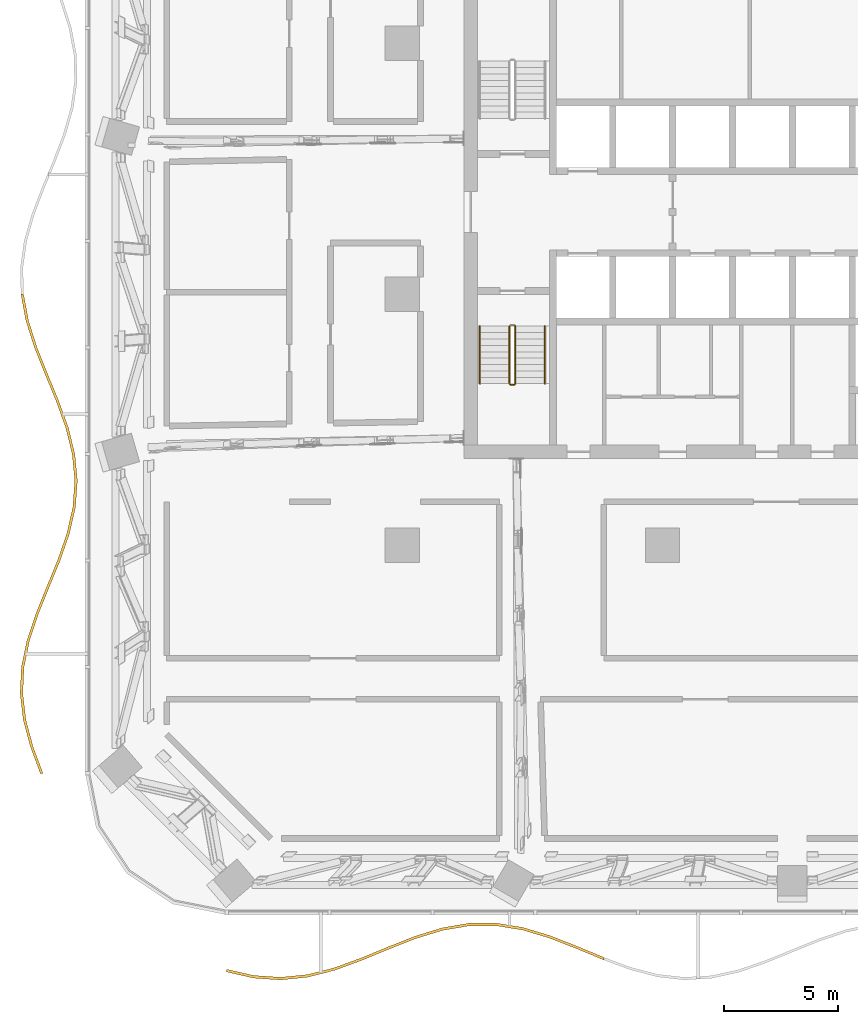
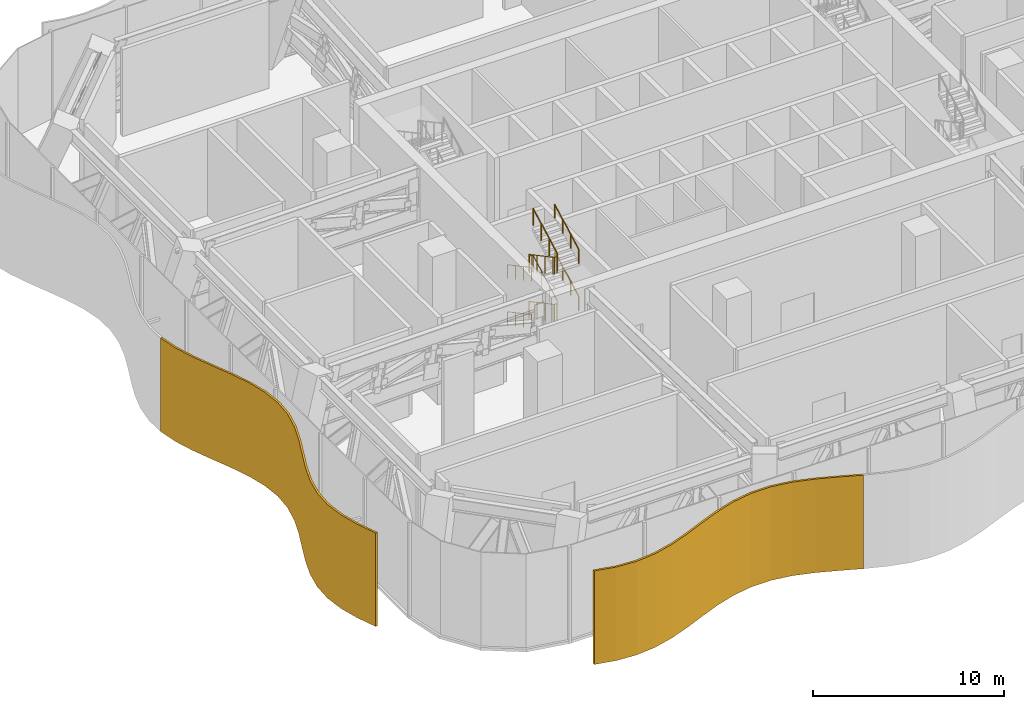
# One storey, part 26 of 32: 8 railings, 2 shading devices.
"""IFC4 building model written with IfcOpenShell, lengths in metres."""

import ifcopenshell
import ifcopenshell.guid

model = None  # the IFC model being written
_history = None  # IfcOwnerHistory: only IFC2X3 demands one
_inside = {}  # id of a spatial element -> (the spatial element, [elements in it])
_under = {}  # id of a project, library or spatial element -> (it, [spatial elements below it])
_declared = {}  # id of a project -> (the project, [libraries it declares])
_typed = {}  # id of a type object -> (the type object, [elements of that type])
_made_of = {}  # id of a material, layer set ... -> (it, [elements and type objects made of it])


def new_model(schema):
    """Start an empty IFC model of exactly this schema.

    Asked for "IFC4X3", IfcOpenShell would pick the latest addendum, in which some entities
    have other attributes; the version numbers below select the first issue.
    IFC2X3 requires an IfcOwnerHistory on every rooted entity: one is made here for all.
    """
    global model, _history
    if schema == "IFC4X3":
        model = ifcopenshell.file(schema_version=(4, 3, 0, 0))
    else:
        model = ifcopenshell.file(schema=schema)
    _inside.clear()
    _under.clear()
    _declared.clear()
    _typed.clear()
    _made_of.clear()
    _history = None
    if model.schema == "IFC2X3":
        org = make("IfcOrganization", Name="unknown")
        user = make(
            "IfcPersonAndOrganization",
            ThePerson=make("IfcPerson", FamilyName="unknown"),
            TheOrganization=org,
        )
        app = make(
            "IfcApplication",
            ApplicationDeveloper=org,
            Version="unknown",
            ApplicationFullName="unknown",
            ApplicationIdentifier="unknown",
        )
        _history = make(
            "IfcOwnerHistory",
            OwningUser=user,
            OwningApplication=app,
            ChangeAction="ADDED",
            CreationDate=0,
        )
    return model


def make(cls, **values):
    """One entity of the class cls with the attributes given. An attribute that is None is left unset."""
    return model.create_entity(
        cls, **{name: value for name, value in values.items() if value is not None}
    )


def rooted(cls, **values):
    """An entity with a GlobalId (a new one), such as an element, a storey or a relation."""
    return make(cls, GlobalId=ifcopenshell.guid.new(), OwnerHistory=_history, **values)


def si_unit(unit_type, name, prefix=None):
    """IfcSIUnit, for example si_unit("LENGTHUNIT", "METRE", prefix="MILLI")."""
    return make("IfcSIUnit", UnitType=unit_type, Prefix=prefix, Name=name)


def assignment(units):
    """IfcUnitAssignment: the units of a project."""
    return None if units is None else make("IfcUnitAssignment", Units=units)


def point(xyz):
    """IfcCartesianPoint."""
    return None if xyz is None else make("IfcCartesianPoint", Coordinates=xyz)


def direction(xyz):
    """IfcDirection."""
    return None if xyz is None else make("IfcDirection", DirectionRatios=xyz)


def frame(location, z_axis=None, x_axis=None):
    """IfcAxis2Placement3D, a coordinate frame: its origin and axes. An axis left out is left unset."""
    return make(
        "IfcAxis2Placement3D",
        Location=point(location),
        Axis=direction(z_axis),
        RefDirection=direction(x_axis),
    )


def frame_2d(location, x_axis=None):
    """IfcAxis2Placement2D, a coordinate frame in the plane: its origin and x axis."""
    return make(
        "IfcAxis2Placement2D", Location=point(location), RefDirection=direction(x_axis)
    )


def origin():
    """The frame at (0, 0, 0) with its axes left unset."""
    return frame((0.0, 0.0, 0.0))


def origin_2d():
    """The frame at (0, 0) in the plane with its x axis left unset."""
    return frame_2d((0.0, 0.0))


def place(relative_to, where):
    """IfcLocalPlacement: puts the frame where relative to a parent placement (None: the world)."""
    return make(
        "IfcLocalPlacement", PlacementRelTo=relative_to, RelativePlacement=where
    )


def context(
    kind, dimensions, precision=None, world=None, true_north=None, identifier=None
):
    """IfcGeometricRepresentationContext, for example the 3D "Model" context."""
    return make(
        "IfcGeometricRepresentationContext",
        ContextIdentifier=identifier,
        ContextType=kind,
        CoordinateSpaceDimension=dimensions,
        Precision=precision,
        WorldCoordinateSystem=world,
        TrueNorth=true_north,
    )


def subcontext(parent, identifier, kind, view, scale=None):
    """IfcGeometricRepresentationSubContext, for example "Body" below "Model"."""
    return make(
        "IfcGeometricRepresentationSubContext",
        ContextIdentifier=identifier,
        ContextType=kind,
        ParentContext=parent,
        TargetScale=scale,
        TargetView=view,
    )


def project(units=None, contexts=None):
    """IfcProject with its units and contexts."""
    return rooted(
        "IfcProject",
        Name="project",
        RepresentationContexts=contexts,
        UnitsInContext=assignment(units),
    )


def spatial(cls, under=None, at=None, **own):
    """A site, building, storey or space (cls), placed at a placement, below another one or the project."""
    s = rooted(cls, ObjectPlacement=at, **own)
    if under is not None:
        _under.setdefault(under.id(), (under, []))[1].append(s)
    return s


def polyline(points):
    """IfcPolyline through the points."""
    return make("IfcPolyline", Points=[point(p) for p in points])


def profile(cls, at=None, kind="AREA", **sizes):
    """A parametric profile (cls). Its sizes go by their IFC names, for example OverallWidth=200.0."""
    return make(cls, ProfileType=kind, Position=at, **sizes)


def circle(**sizes):
    """IfcCircleProfileDef."""
    return profile("IfcCircleProfileDef", **sizes)


def outline(outer, holes=None, kind="AREA"):
    """IfcArbitraryClosedProfileDef: a profile drawn as a closed curve; with holes, ...WithVoids."""
    if holes is None:
        return make("IfcArbitraryClosedProfileDef", ProfileType=kind, OuterCurve=outer)
    return make(
        "IfcArbitraryProfileDefWithVoids",
        ProfileType=kind,
        OuterCurve=outer,
        InnerCurves=holes,
    )


def extrude(swept, where, along, depth):
    """IfcExtrudedAreaSolid: the profile swept, set in the frame where, extruded along a direction by depth."""
    return make(
        "IfcExtrudedAreaSolid",
        SweptArea=swept,
        Position=where,
        ExtrudedDirection=direction(along),
        Depth=depth,
    )


def shape(context_of_items, identifier, shape_type, items):
    """IfcShapeRepresentation: the items that make up one representation, for example the "Body"."""
    return make(
        "IfcShapeRepresentation",
        ContextOfItems=context_of_items,
        RepresentationIdentifier=identifier,
        RepresentationType=shape_type,
        Items=items,
    )


def material(Name=None, Category=None):
    """IfcMaterial."""
    return make("IfcMaterial", Name=Name, Category=Category)


def layer(
    of_material, thickness, ventilated=None, Name=None, Category=None, Priority=None
):
    """IfcMaterialLayer: one layer of a wall or slab, of a material (None: an air gap)."""
    return make(
        "IfcMaterialLayer",
        Material=of_material,
        LayerThickness=thickness,
        IsVentilated=ventilated,
        Name=Name,
        Category=Category,
        Priority=Priority,
    )


def layer_set(layers, Name=None):
    """IfcMaterialLayerSet."""
    return make("IfcMaterialLayerSet", MaterialLayers=layers, LayerSetName=Name)


def made_of(thing, what):
    """Note that an element or type object is made of a material, layer set ...; save() writes the relation."""
    if what is not None:
        _made_of.setdefault(what.id(), (what, []))[1].append(thing)
    return thing


def type_object(cls, material=None, **own):
    """A type object (cls), such as IfcWallType, which elements share."""
    return made_of(rooted(cls, **own), material)


def element(
    cls,
    number,
    at=None,
    inside=None,
    cuts=None,
    type_object=None,
    material=None,
    context=None,
    identifier="Body",
    shape_type=None,
    held_by="IfcProductDefinitionShape",
    body=None,
    shapes=None,
    **own,
):
    """One element of the class cls, such as IfcWall. Its Tag is "e" and its number.

    at: its placement. inside: the storey or other place that contains it. cuts: it is an
    opening in that element (IfcRelVoidsElement). A single representation is given by context,
    identifier, shape_type and body (its items); several are given by shapes. held_by: the class
    of the entity that holds the representations. save() writes the other relations.
    """
    e = rooted(cls, Tag="e%d" % number, ObjectPlacement=at, **own)
    if body is not None:
        shapes = [shape(context, identifier, shape_type, body)]
    if shapes is not None:
        e.Representation = make(held_by, Representations=shapes)
    if inside is not None:
        _inside.setdefault(inside.id(), (inside, []))[1].append(e)
    if cuts is not None:
        rooted(
            "IfcRelVoidsElement", RelatingBuildingElement=cuts, RelatedOpeningElement=e
        )
    if type_object is not None:
        _typed.setdefault(type_object.id(), (type_object, []))[1].append(e)
    return made_of(e, material)


def aggregate(whole, parts):
    """IfcRelAggregates: a whole, such as a stair, and the parts it consists of."""
    return rooted("IfcRelAggregates", RelatingObject=whole, RelatedObjects=parts)


def save(model, path):
    """Write the relations noted so far, then the file.

    IfcRelAggregates (storeys below a building ...), IfcRelContainedInSpatialStructure (elements
    in a storey), IfcRelDefinesByType, IfcRelAssociatesMaterial and IfcRelDeclares: one each for
    every whole, place, type object, material and project.
    """
    for whole, parts in _under.values():
        aggregate(whole, parts)
    for where, things in _inside.values():
        rooted(
            "IfcRelContainedInSpatialStructure",
            RelatedElements=things,
            RelatingStructure=where,
        )
    for kind, things in _typed.values():
        rooted("IfcRelDefinesByType", RelatedObjects=things, RelatingType=kind)
    for what, things in _made_of.values():
        rooted("IfcRelAssociatesMaterial", RelatedObjects=things, RelatingMaterial=what)
    for by, libraries in _declared.values():
        rooted("IfcRelDeclares", RelatingContext=by, RelatedDefinitions=libraries)
    model.write(path)


model = new_model("IFC4")

# Units and contexts
model_context = context("Model", 3, precision=1e-05, world=origin(), true_north=direction((0.0, 1.0)))
body_context = subcontext(model_context, "Body", "Model", "MODEL_VIEW")
ifc_project = project(units=[si_unit("LENGTHUNIT", "METRE"), si_unit("AREAUNIT", "SQUARE_METRE"), si_unit("VOLUMEUNIT", "CUBIC_METRE"), si_unit("PLANEANGLEUNIT", "RADIAN"), si_unit("MASSUNIT", "GRAM", prefix="KILO")], contexts=[model_context])

# Site, building, storey
site_placement = place(None, origin())
site = spatial("IfcSite", under=ifc_project, at=site_placement, CompositionType="ELEMENT")
building_placement = place(site_placement, origin())
building = spatial("IfcBuilding", under=site, at=building_placement, Name="Mopane Tessera Tower", CompositionType="ELEMENT")
storey_placement = place(building_placement, frame((0.0, 0.0, 88.60009765625)))
storey = spatial("IfcBuildingStorey", under=building, at=storey_placement, Name="L17", CompositionType="ELEMENT", Elevation=88.60009765625)

# Railings
ifc_material_1 = material(Name="Powder-coated steel balustrade", Category="steel")
railing_type_1 = type_object("IfcRailingType", Name="Escape stair guard 1100 mm", PredefinedType="GUARDRAIL", material=ifc_material_1)
railing_1_placement = place(storey_placement, frame((-12.39990234375, -1.39990234375, 0.14990234375)))
element("IfcRailing", 1, at=railing_1_placement, inside=storey, type_object=railing_type_1, Name="L17 ST1 stair guard 1", PredefinedType="GUARDRAIL", context=body_context, shape_type="SweptSolid", body=[
    extrude(circle(Radius=0.02392578125, at=origin_2d()), frame((0.0, 0.0, 1.076171875), z_axis=(0.0, -0.881467274426, 0.472245110209), x_axis=(1.0, 0.0, 0.0)), (0.0, 0.0, 1.0), 2.85888671875),
    extrude(circle(Radius=0.02392578125, at=origin_2d()), frame((0.0, -2.52001953125, 2.42626953125), z_axis=(0.705375805398, -0.708833529934, 0.0), x_axis=(0.708833529934, 0.705375805398, 0.0)), (0.0, 0.0, 1.0), 0.070556640625),
    extrude(circle(Radius=0.02392578125, at=origin_2d()), frame((0.0498046875, -2.570068359375, 2.42626953125), z_axis=(1.0, 0.0, 0.0), x_axis=(0.0, 1.0, 0.0)), (0.0, 0.0, 1.0), 0.150146484375),
    extrude(circle(Radius=0.02099609375, at=origin_2d()), origin(), (0.0, 0.0, 1.0), 1.052001953125),
    extrude(circle(Radius=0.02099609375, at=origin_2d()), frame((0.0, -0.840087890625, 0.449951171875)), (0.0, 0.0, 1.0), 1.052001953125),
    extrude(circle(Radius=0.02099609375, at=origin_2d()), frame((0.0, -1.679931640625, 0.900146484375)), (0.0, 0.0, 1.0), 1.052001953125),
    extrude(circle(Radius=0.02099609375, at=origin_2d()), frame((0.0, -2.52001953125, 1.35009765625)), (0.0, 0.0, 1.0), 1.052001953125),
    extrude(circle(Radius=0.02099609375, at=origin_2d()), frame((0.0498046875, -2.570068359375, 1.35009765625)), (0.0, 0.0, 1.0), 1.052001953125),
    extrude(circle(Radius=0.02099609375, at=origin_2d()), frame((0.199951171875, -2.570068359375, 1.35009765625)), (0.0, 0.0, 1.0), 1.052001953125),
])
railing_2_placement = place(storey_placement, frame((-12.14990234375, -3.919921875, 1.64990234375)))
element("IfcRailing", 2, at=railing_2_placement, inside=storey, type_object=railing_type_1, Name="L17 ST1 stair guard 2", PredefinedType="GUARDRAIL", context=body_context, shape_type="SweptSolid", body=[
    extrude(circle(Radius=0.02392578125, at=origin_2d()), frame((0.0, 0.0, 1.076171875), z_axis=(0.0, 0.881467274426, 0.472245110209), x_axis=(-1.0, 0.0, 0.0)), (0.0, 0.0, 1.0), 2.85888671875),
    extrude(circle(Radius=0.02392578125, at=origin_2d()), frame((0.0, 2.52001953125, 2.42626953125), z_axis=(-0.708833529934, 0.705375805398, 0.0), x_axis=(-0.705375805398, -0.708833529934, 0.0)), (0.0, 0.0, 1.0), 0.070556640625),
    extrude(circle(Radius=0.02392578125, at=origin_2d()), frame((-0.050048828125, 2.56982421875, 2.42626953125), z_axis=(-1.0, 0.0, 0.0), x_axis=(0.0, -1.0, 0.0)), (0.0, 0.0, 1.0), 0.150146484375),
    extrude(circle(Radius=0.02099609375, at=origin_2d()), origin(), (0.0, 0.0, 1.0), 1.052001953125),
    extrude(circle(Radius=0.02099609375, at=origin_2d()), frame((0.0, 0.840087890625, 0.449951171875)), (0.0, 0.0, 1.0), 1.052001953125),
    extrude(circle(Radius=0.02099609375, at=origin_2d()), frame((0.0, 1.679931640625, 0.900146484375)), (0.0, 0.0, 1.0), 1.052001953125),
    extrude(circle(Radius=0.02099609375, at=origin_2d()), frame((0.0, 2.52001953125, 1.35009765625)), (0.0, 0.0, 1.0), 1.052001953125),
    extrude(circle(Radius=0.02099609375, at=origin_2d()), frame((-0.050048828125, 2.56982421875, 1.35009765625)), (0.0, 0.0, 1.0), 1.052001953125),
    extrude(circle(Radius=0.02099609375, at=origin_2d()), frame((-0.2001953125, 2.56982421875, 1.35009765625)), (0.0, 0.0, 1.0), 1.052001953125),
])
railing_3_placement = place(storey_placement, frame((-12.39990234375, -1.39990234375, 3.14990234375)))
element("IfcRailing", 3, at=railing_3_placement, inside=storey, type_object=railing_type_1, Name="L17 ST1 stair guard 3", PredefinedType="GUARDRAIL", context=body_context, shape_type="SweptSolid", body=[
    extrude(circle(Radius=0.02392578125, at=origin_2d()), frame((0.0, 0.0, 1.076171875), z_axis=(0.0, -0.881467274426, 0.472245110209), x_axis=(1.0, 0.0, 0.0)), (0.0, 0.0, 1.0), 2.85888671875),
    extrude(circle(Radius=0.02392578125, at=origin_2d()), frame((0.0, -2.52001953125, 2.42626953125), z_axis=(0.705375805398, -0.708833529934, 0.0), x_axis=(0.708833529934, 0.705375805398, 0.0)), (0.0, 0.0, 1.0), 0.070556640625),
    extrude(circle(Radius=0.02392578125, at=origin_2d()), frame((0.0498046875, -2.570068359375, 2.42626953125), z_axis=(1.0, 0.0, 0.0), x_axis=(0.0, 1.0, 0.0)), (0.0, 0.0, 1.0), 0.150146484375),
    extrude(circle(Radius=0.02099609375, at=origin_2d()), origin(), (0.0, 0.0, 1.0), 1.052001953125),
    extrude(circle(Radius=0.02099609375, at=origin_2d()), frame((0.0, -0.840087890625, 0.449951171875)), (0.0, 0.0, 1.0), 1.052001953125),
    extrude(circle(Radius=0.02099609375, at=origin_2d()), frame((0.0, -1.679931640625, 0.900146484375)), (0.0, 0.0, 1.0), 1.052001953125),
    extrude(circle(Radius=0.02099609375, at=origin_2d()), frame((0.0, -2.52001953125, 1.35009765625)), (0.0, 0.0, 1.0), 1.052001953125),
    extrude(circle(Radius=0.02099609375, at=origin_2d()), frame((0.0498046875, -2.570068359375, 1.35009765625)), (0.0, 0.0, 1.0), 1.052001953125),
    extrude(circle(Radius=0.02099609375, at=origin_2d()), frame((0.199951171875, -2.570068359375, 1.35009765625)), (0.0, 0.0, 1.0), 1.052001953125),
])
railing_4_placement = place(storey_placement, frame((-12.14990234375, -3.919921875, 4.64990234375)))
element("IfcRailing", 4, at=railing_4_placement, inside=storey, type_object=railing_type_1, Name="L17 ST1 stair guard 4", PredefinedType="GUARDRAIL", context=body_context, shape_type="SweptSolid", body=[
    extrude(circle(Radius=0.02392578125, at=origin_2d()), frame((0.0, 0.0, 1.076171875), z_axis=(0.0, 0.881467274426, 0.472245110209), x_axis=(-1.0, 0.0, 0.0)), (0.0, 0.0, 1.0), 2.85888671875),
    extrude(circle(Radius=0.02099609375, at=origin_2d()), origin(), (0.0, 0.0, 1.0), 1.052001953125),
    extrude(circle(Radius=0.02099609375, at=origin_2d()), frame((0.0, 0.840087890625, 0.449951171875)), (0.0, 0.0, 1.0), 1.052001953125),
    extrude(circle(Radius=0.02099609375, at=origin_2d()), frame((0.0, 1.679931640625, 0.900146484375)), (0.0, 0.0, 1.0), 1.052001953125),
    extrude(circle(Radius=0.02099609375, at=origin_2d()), frame((0.0, 2.52001953125, 1.35009765625)), (0.0, 0.0, 1.0), 1.052001953125),
])
ifc_material_2 = material(Name="Powder-coated steel balustrade", Category="steel")
railing_type_2 = type_object("IfcRailingType", Name="Escape stair handrail 900 mm", PredefinedType="HANDRAIL", material=ifc_material_2)
railing_5_placement = place(storey_placement, frame((-13.699951171875, -1.39990234375, 0.14990234375)))
element("IfcRailing", 5, at=railing_5_placement, inside=storey, type_object=railing_type_2, Name="L17 ST1 stair handrail 1", PredefinedType="HANDRAIL", context=body_context, shape_type="SweptSolid", body=[
    extrude(circle(Radius=0.02392578125, at=origin_2d()), frame((0.0, 0.0, 0.8759765625), z_axis=(0.0, -0.881467274426, 0.472245110209), x_axis=(1.0, 0.0, 0.0)), (0.0, 0.0, 1.0), 2.85888671875),
    extrude(circle(Radius=0.02099609375, at=origin_2d()), origin(), (0.0, 0.0, 1.0), 0.851806640625),
    extrude(circle(Radius=0.02099609375, at=origin_2d()), frame((0.0, -0.840087890625, 0.449951171875)), (0.0, 0.0, 1.0), 0.851806640625),
    extrude(circle(Radius=0.02099609375, at=origin_2d()), frame((0.0, -1.679931640625, 0.900146484375)), (0.0, 0.0, 1.0), 0.851806640625),
    extrude(circle(Radius=0.02099609375, at=origin_2d()), frame((0.0, -2.52001953125, 1.35009765625)), (0.0, 0.0, 1.0), 0.851806640625),
])
railing_6_placement = place(storey_placement, frame((-10.85009765625, -3.919921875, 1.64990234375)))
element("IfcRailing", 6, at=railing_6_placement, inside=storey, type_object=railing_type_2, Name="L17 ST1 stair handrail 2", PredefinedType="HANDRAIL", context=body_context, shape_type="SweptSolid", body=[
    extrude(circle(Radius=0.02392578125, at=origin_2d()), frame((0.0, 0.0, 0.8759765625), z_axis=(0.0, 0.881467274426, 0.472245110209), x_axis=(-1.0, 0.0, 0.0)), (0.0, 0.0, 1.0), 2.85888671875),
    extrude(circle(Radius=0.02099609375, at=origin_2d()), origin(), (0.0, 0.0, 1.0), 0.851806640625),
    extrude(circle(Radius=0.02099609375, at=origin_2d()), frame((0.0, 0.840087890625, 0.449951171875)), (0.0, 0.0, 1.0), 0.851806640625),
    extrude(circle(Radius=0.02099609375, at=origin_2d()), frame((0.0, 1.679931640625, 0.900146484375)), (0.0, 0.0, 1.0), 0.851806640625),
    extrude(circle(Radius=0.02099609375, at=origin_2d()), frame((0.0, 2.52001953125, 1.35009765625)), (0.0, 0.0, 1.0), 0.851806640625),
])
railing_7_placement = place(storey_placement, frame((-13.699951171875, -1.39990234375, 3.14990234375)))
element("IfcRailing", 7, at=railing_7_placement, inside=storey, type_object=railing_type_2, Name="L17 ST1 stair handrail 3", PredefinedType="HANDRAIL", context=body_context, shape_type="SweptSolid", body=[
    extrude(circle(Radius=0.02392578125, at=origin_2d()), frame((0.0, 0.0, 0.8759765625), z_axis=(0.0, -0.881467274426, 0.472245110209), x_axis=(1.0, 0.0, 0.0)), (0.0, 0.0, 1.0), 2.85888671875),
    extrude(circle(Radius=0.02099609375, at=origin_2d()), origin(), (0.0, 0.0, 1.0), 0.851806640625),
    extrude(circle(Radius=0.02099609375, at=origin_2d()), frame((0.0, -0.840087890625, 0.449951171875)), (0.0, 0.0, 1.0), 0.851806640625),
    extrude(circle(Radius=0.02099609375, at=origin_2d()), frame((0.0, -1.679931640625, 0.900146484375)), (0.0, 0.0, 1.0), 0.851806640625),
    extrude(circle(Radius=0.02099609375, at=origin_2d()), frame((0.0, -2.52001953125, 1.35009765625)), (0.0, 0.0, 1.0), 0.851806640625),
])
railing_8_placement = place(storey_placement, frame((-10.85009765625, -3.919921875, 4.64990234375)))
element("IfcRailing", 8, at=railing_8_placement, inside=storey, type_object=railing_type_2, Name="L17 ST1 stair handrail 4", PredefinedType="HANDRAIL", context=body_context, shape_type="SweptSolid", body=[
    extrude(circle(Radius=0.02392578125, at=origin_2d()), frame((0.0, 0.0, 0.8759765625), z_axis=(0.0, 0.881467274426, 0.472245110209), x_axis=(-1.0, 0.0, 0.0)), (0.0, 0.0, 1.0), 2.85888671875),
    extrude(circle(Radius=0.02099609375, at=origin_2d()), origin(), (0.0, 0.0, 1.0), 0.851806640625),
    extrude(circle(Radius=0.02099609375, at=origin_2d()), frame((0.0, 0.840087890625, 0.449951171875)), (0.0, 0.0, 1.0), 0.851806640625),
    extrude(circle(Radius=0.02099609375, at=origin_2d()), frame((0.0, 1.679931640625, 0.900146484375)), (0.0, 0.0, 1.0), 0.851806640625),
    extrude(circle(Radius=0.02099609375, at=origin_2d()), frame((0.0, 2.52001953125, 1.35009765625)), (0.0, 0.0, 1.0), 0.851806640625),
])

# Shading devices
ifc_material_3 = material(Name="Anodised aluminium louvre blades", Category="aluminium")
ifc_layer = layer(ifc_material_3, 0.1201171875)
ifc_layer_set = layer_set([ifc_layer], Name="Anodised aluminium louvre blades")
shading_device_type = type_object("IfcShadingDeviceType", Name="Wave louvre screen", PredefinedType="JALOUSIE", material=ifc_layer_set)
shading_device_1_placement = place(storey_placement, frame((0.0, 0.0, -0.420166015625)))
element("IfcShadingDevice", 9, at=shading_device_1_placement, inside=storey, type_object=shading_device_type, Name="e:lv:L17:S:0", PredefinedType="JALOUSIE", context=body_context, shape_type="SweptSolid", body=[
    extrude(outline(polyline([(-24.800048828125, -29.588623046875), (-23.619140625, -29.857421875), (-22.43798828125, -29.93896484375), (-21.257080078125, -29.81982421875), (-20.076171875, -29.519775390625), (-18.895263671875, -29.0888671875), (-17.71435546875, -28.599609375), (-16.533447265625, -28.134033203125), (-15.352294921875, -27.769775390625), (-14.17138671875, -27.568115234375), (-12.990478515625, -27.562744140625), (-11.8095703125, -27.754638671875), (-10.628662109375, -28.11181640625), (-9.447509765625, -28.573974609375), (-8.2666015625, -29.06396484375), (-8.2666015625, -29.18408203125), (-9.447509765625, -28.694091796875), (-10.628662109375, -28.231689453125), (-11.8095703125, -27.874755859375), (-12.990478515625, -27.682861328125), (-14.17138671875, -27.688232421875), (-15.352294921875, -27.8896484375), (-16.533447265625, -28.25390625), (-17.71435546875, -28.7197265625), (-18.895263671875, -29.208984375), (-20.076171875, -29.6396484375), (-21.257080078125, -29.93994140625), (-22.43798828125, -30.05908203125), (-23.619140625, -29.977294921875), (-24.800048828125, -29.70849609375), (-24.800048828125, -29.588623046875)])), origin(), (0.0, 0.0, 1.0), 5.969970703125),
])
shading_device_2_placement = place(storey_placement, frame((0.0, 0.0, -0.420166015625)))
element("IfcShadingDevice", 10, at=shading_device_2_placement, inside=storey, type_object=shading_device_type, Name="e:lv:L17:W:1", PredefinedType="JALOUSIE", context=body_context, shape_type="SweptSolid", body=[
    extrude(outline(polyline([(-33.69921875, 0.0), (-33.481201171875, -1.166748046875), (-33.109619140625, -2.333251953125), (-32.64453125, -3.5), (-32.16259765625, -4.666748046875), (-31.7421875, -5.833251953125), (-31.452392578125, -7.0), (-31.340576171875, -8.166748046875), (-31.4248046875, -9.333251953125), (-31.69140625, -10.5), (-32.096923828125, -11.666748046875), (-32.574951171875, -12.833251953125), (-33.047119140625, -14.0), (-33.4365234375, -15.166748046875), (-33.67919921875, -16.333251953125), (-33.7353515625, -17.5), (-33.59619140625, -18.666748046875), (-33.2841796875, -19.833251953125), (-32.8505859375, -21.0), (-32.970703125, -21.0), (-33.404296875, -19.833251953125), (-33.71630859375, -18.666748046875), (-33.85546875, -17.5), (-33.799072265625, -16.333251953125), (-33.556396484375, -15.166748046875), (-33.167236328125, -14.0), (-32.69482421875, -12.833251953125), (-32.217041015625, -11.666748046875), (-31.8115234375, -10.5), (-31.544677734375, -9.333251953125), (-31.46044921875, -8.166748046875), (-31.572509765625, -7.0), (-31.8623046875, -5.833251953125), (-32.282470703125, -4.666748046875), (-32.7646484375, -3.5), (-33.2294921875, -2.333251953125), (-33.601318359375, -1.166748046875), (-33.819091796875, 0.0), (-33.69921875, 0.0)])), origin(), (0.0, 0.0, 1.0), 5.969970703125),
])

save(model, "model.ifc")
